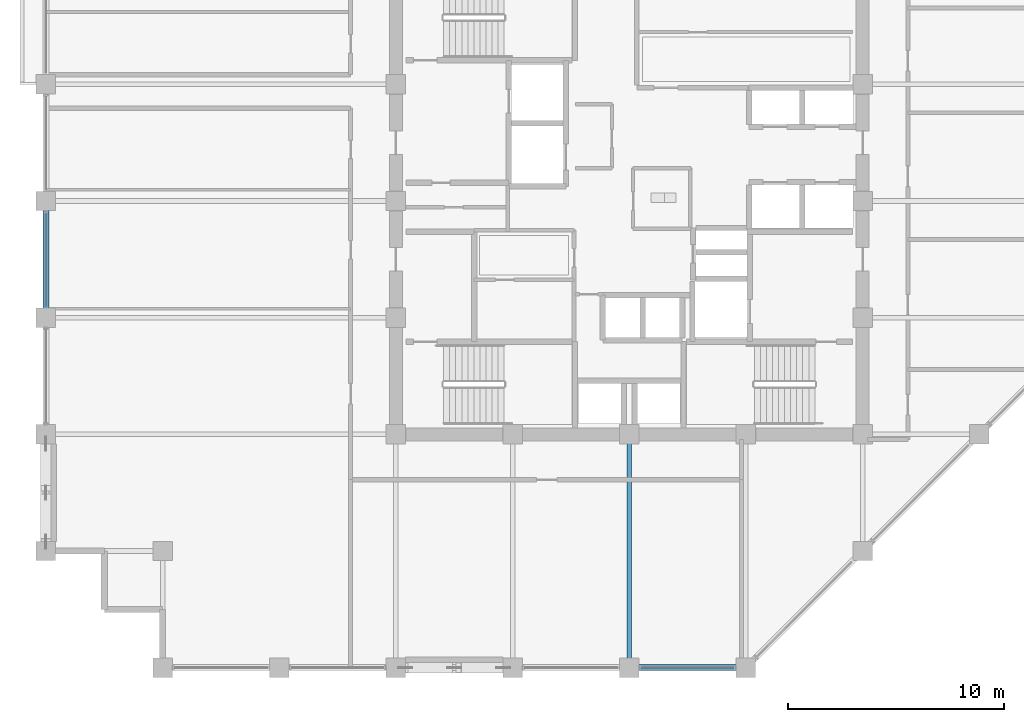
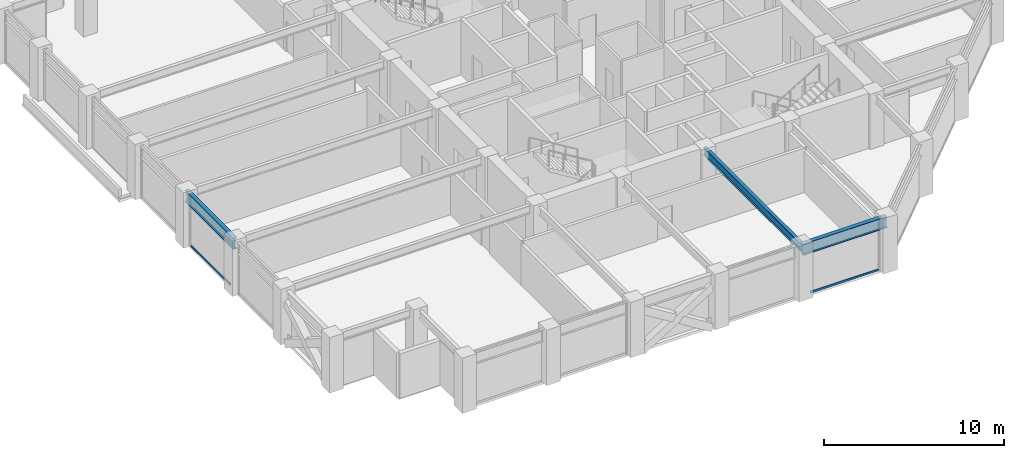
# One storey, part 7 of 31: 3 beams, 2 members, 2 elements without a shape of their own.
"""IFC4 building model written with IfcOpenShell, lengths in metres."""

import ifcopenshell
import ifcopenshell.guid

model = None  # the IFC model being written
_history = None  # IfcOwnerHistory: only IFC2X3 demands one
_inside = {}  # id of a spatial element -> (the spatial element, [elements in it])
_under = {}  # id of a project, library or spatial element -> (it, [spatial elements below it])
_declared = {}  # id of a project -> (the project, [libraries it declares])
_typed = {}  # id of a type object -> (the type object, [elements of that type])
_made_of = {}  # id of a material, layer set ... -> (it, [elements and type objects made of it])


def new_model(schema):
    """Start an empty IFC model of exactly this schema.

    Asked for "IFC4X3", IfcOpenShell would pick the latest addendum, in which some entities
    have other attributes; the version numbers below select the first issue.
    IFC2X3 requires an IfcOwnerHistory on every rooted entity: one is made here for all.
    """
    global model, _history
    if schema == "IFC4X3":
        model = ifcopenshell.file(schema_version=(4, 3, 0, 0))
    else:
        model = ifcopenshell.file(schema=schema)
    _inside.clear()
    _under.clear()
    _declared.clear()
    _typed.clear()
    _made_of.clear()
    _history = None
    if model.schema == "IFC2X3":
        org = make("IfcOrganization", Name="unknown")
        user = make(
            "IfcPersonAndOrganization",
            ThePerson=make("IfcPerson", FamilyName="unknown"),
            TheOrganization=org,
        )
        app = make(
            "IfcApplication",
            ApplicationDeveloper=org,
            Version="unknown",
            ApplicationFullName="unknown",
            ApplicationIdentifier="unknown",
        )
        _history = make(
            "IfcOwnerHistory",
            OwningUser=user,
            OwningApplication=app,
            ChangeAction="ADDED",
            CreationDate=0,
        )
    return model


def make(cls, **values):
    """One entity of the class cls with the attributes given. An attribute that is None is left unset."""
    return model.create_entity(
        cls, **{name: value for name, value in values.items() if value is not None}
    )


def rooted(cls, **values):
    """An entity with a GlobalId (a new one), such as an element, a storey or a relation."""
    return make(cls, GlobalId=ifcopenshell.guid.new(), OwnerHistory=_history, **values)


def si_unit(unit_type, name, prefix=None):
    """IfcSIUnit, for example si_unit("LENGTHUNIT", "METRE", prefix="MILLI")."""
    return make("IfcSIUnit", UnitType=unit_type, Prefix=prefix, Name=name)


def assignment(units):
    """IfcUnitAssignment: the units of a project."""
    return None if units is None else make("IfcUnitAssignment", Units=units)


def point(xyz):
    """IfcCartesianPoint."""
    return None if xyz is None else make("IfcCartesianPoint", Coordinates=xyz)


def direction(xyz):
    """IfcDirection."""
    return None if xyz is None else make("IfcDirection", DirectionRatios=xyz)


def frame(location, z_axis=None, x_axis=None):
    """IfcAxis2Placement3D, a coordinate frame: its origin and axes. An axis left out is left unset."""
    return make(
        "IfcAxis2Placement3D",
        Location=point(location),
        Axis=direction(z_axis),
        RefDirection=direction(x_axis),
    )


def frame_2d(location, x_axis=None):
    """IfcAxis2Placement2D, a coordinate frame in the plane: its origin and x axis."""
    return make(
        "IfcAxis2Placement2D", Location=point(location), RefDirection=direction(x_axis)
    )


def origin():
    """The frame at (0, 0, 0) with its axes left unset."""
    return frame((0.0, 0.0, 0.0))


def origin_2d():
    """The frame at (0, 0) in the plane with its x axis left unset."""
    return frame_2d((0.0, 0.0))


def place(relative_to, where):
    """IfcLocalPlacement: puts the frame where relative to a parent placement (None: the world)."""
    return make(
        "IfcLocalPlacement", PlacementRelTo=relative_to, RelativePlacement=where
    )


def context(
    kind, dimensions, precision=None, world=None, true_north=None, identifier=None
):
    """IfcGeometricRepresentationContext, for example the 3D "Model" context."""
    return make(
        "IfcGeometricRepresentationContext",
        ContextIdentifier=identifier,
        ContextType=kind,
        CoordinateSpaceDimension=dimensions,
        Precision=precision,
        WorldCoordinateSystem=world,
        TrueNorth=true_north,
    )


def subcontext(parent, identifier, kind, view, scale=None):
    """IfcGeometricRepresentationSubContext, for example "Body" below "Model"."""
    return make(
        "IfcGeometricRepresentationSubContext",
        ContextIdentifier=identifier,
        ContextType=kind,
        ParentContext=parent,
        TargetScale=scale,
        TargetView=view,
    )


def project(units=None, contexts=None):
    """IfcProject with its units and contexts."""
    return rooted(
        "IfcProject",
        Name="project",
        RepresentationContexts=contexts,
        UnitsInContext=assignment(units),
    )


def spatial(cls, under=None, at=None, **own):
    """A site, building, storey or space (cls), placed at a placement, below another one or the project."""
    s = rooted(cls, ObjectPlacement=at, **own)
    if under is not None:
        _under.setdefault(under.id(), (under, []))[1].append(s)
    return s


def profile(cls, at=None, kind="AREA", **sizes):
    """A parametric profile (cls). Its sizes go by their IFC names, for example OverallWidth=200.0."""
    return make(cls, ProfileType=kind, Position=at, **sizes)


def hollow_rectangle(**sizes):
    """IfcRectangleHollowProfileDef."""
    return profile("IfcRectangleHollowProfileDef", **sizes)


def i_section(**sizes):
    """IfcIShapeProfileDef."""
    return profile("IfcIShapeProfileDef", **sizes)


def extrude(swept, where, along, depth):
    """IfcExtrudedAreaSolid: the profile swept, set in the frame where, extruded along a direction by depth."""
    return make(
        "IfcExtrudedAreaSolid",
        SweptArea=swept,
        Position=where,
        ExtrudedDirection=direction(along),
        Depth=depth,
    )


def shape(context_of_items, identifier, shape_type, items):
    """IfcShapeRepresentation: the items that make up one representation, for example the "Body"."""
    return make(
        "IfcShapeRepresentation",
        ContextOfItems=context_of_items,
        RepresentationIdentifier=identifier,
        RepresentationType=shape_type,
        Items=items,
    )


def material(Name=None, Category=None):
    """IfcMaterial."""
    return make("IfcMaterial", Name=Name, Category=Category)


def layer(
    of_material, thickness, ventilated=None, Name=None, Category=None, Priority=None
):
    """IfcMaterialLayer: one layer of a wall or slab, of a material (None: an air gap)."""
    return make(
        "IfcMaterialLayer",
        Material=of_material,
        LayerThickness=thickness,
        IsVentilated=ventilated,
        Name=Name,
        Category=Category,
        Priority=Priority,
    )


def layer_set(layers, Name=None):
    """IfcMaterialLayerSet."""
    return make("IfcMaterialLayerSet", MaterialLayers=layers, LayerSetName=Name)


def material_profile(
    of_material, cross_section, Name=None, Category=None, Priority=None
):
    """IfcMaterialProfile: a cross section and its material."""
    return make(
        "IfcMaterialProfile",
        Name=Name,
        Material=of_material,
        Profile=cross_section,
        Priority=Priority,
        Category=Category,
    )


def profile_set(profiles, Name=None, composite=None):
    """IfcMaterialProfileSet."""
    return make(
        "IfcMaterialProfileSet",
        Name=Name,
        MaterialProfiles=profiles,
        CompositeProfile=composite,
    )


def made_of(thing, what):
    """Note that an element or type object is made of a material, layer set ...; save() writes the relation."""
    if what is not None:
        _made_of.setdefault(what.id(), (what, []))[1].append(thing)
    return thing


def type_object(cls, material=None, **own):
    """A type object (cls), such as IfcWallType, which elements share."""
    return made_of(rooted(cls, **own), material)


def element(
    cls,
    number,
    at=None,
    inside=None,
    cuts=None,
    type_object=None,
    material=None,
    context=None,
    identifier="Body",
    shape_type=None,
    held_by="IfcProductDefinitionShape",
    body=None,
    shapes=None,
    **own,
):
    """One element of the class cls, such as IfcWall. Its Tag is "e" and its number.

    at: its placement. inside: the storey or other place that contains it. cuts: it is an
    opening in that element (IfcRelVoidsElement). A single representation is given by context,
    identifier, shape_type and body (its items); several are given by shapes. held_by: the class
    of the entity that holds the representations. save() writes the other relations.
    """
    e = rooted(cls, Tag="e%d" % number, ObjectPlacement=at, **own)
    if body is not None:
        shapes = [shape(context, identifier, shape_type, body)]
    if shapes is not None:
        e.Representation = make(held_by, Representations=shapes)
    if inside is not None:
        _inside.setdefault(inside.id(), (inside, []))[1].append(e)
    if cuts is not None:
        rooted(
            "IfcRelVoidsElement", RelatingBuildingElement=cuts, RelatedOpeningElement=e
        )
    if type_object is not None:
        _typed.setdefault(type_object.id(), (type_object, []))[1].append(e)
    return made_of(e, material)


def aggregate(whole, parts):
    """IfcRelAggregates: a whole, such as a stair, and the parts it consists of."""
    return rooted("IfcRelAggregates", RelatingObject=whole, RelatedObjects=parts)


def save(model, path):
    """Write the relations noted so far, then the file.

    IfcRelAggregates (storeys below a building ...), IfcRelContainedInSpatialStructure (elements
    in a storey), IfcRelDefinesByType, IfcRelAssociatesMaterial and IfcRelDeclares: one each for
    every whole, place, type object, material and project.
    """
    for whole, parts in _under.values():
        aggregate(whole, parts)
    for where, things in _inside.values():
        rooted(
            "IfcRelContainedInSpatialStructure",
            RelatedElements=things,
            RelatingStructure=where,
        )
    for kind, things in _typed.values():
        rooted("IfcRelDefinesByType", RelatedObjects=things, RelatingType=kind)
    for what, things in _made_of.values():
        rooted("IfcRelAssociatesMaterial", RelatedObjects=things, RelatingMaterial=what)
    for by, libraries in _declared.values():
        rooted("IfcRelDeclares", RelatingContext=by, RelatedDefinitions=libraries)
    model.write(path)


model = new_model("IFC4")

# Units and contexts
model_context = context("Model", 3, precision=1e-05, world=origin(), true_north=direction((0.0, 1.0)))
body_context = subcontext(model_context, "Body", "Model", "MODEL_VIEW")
ifc_project = project(units=[si_unit("LENGTHUNIT", "METRE"), si_unit("AREAUNIT", "SQUARE_METRE"), si_unit("VOLUMEUNIT", "CUBIC_METRE"), si_unit("PLANEANGLEUNIT", "RADIAN"), si_unit("MASSUNIT", "GRAM", prefix="KILO")], contexts=[model_context])

# Site, building, storey
site_placement = place(None, origin())
site = spatial("IfcSite", under=ifc_project, at=site_placement, CompositionType="ELEMENT")
building_placement = place(site_placement, origin())
building = spatial("IfcBuilding", under=site, at=building_placement, Name="Surkhivell Harbour Commons", CompositionType="ELEMENT")
storey_placement = place(building_placement, frame((0.0, 0.0, 193.5)))
storey = spatial("IfcBuildingStorey", under=building, at=storey_placement, Name="L50", CompositionType="ELEMENT", Elevation=193.5)

# Beams
ifc_material_1 = material(Name="Steel S355", Category="steel")
ifc_material_profile_1 = material_profile(ifc_material_1, i_section(OverallWidth=0.2119140625, OverallDepth=0.5439453125, WebThickness=0.0126953125, FlangeThickness=0.021240234375, at=origin_2d()), Name="UB533x210x122")
ifc_profile_set_1 = profile_set([ifc_material_profile_1], Name="Steel S355")
beam_type_1 = type_object("IfcBeamType", Name="BM-GRD-533A", PredefinedType="BEAM", material=ifc_profile_set_1)
beam_placement = place(storey_placement, frame((0.0, -21.60009765625, 3.298095703125), z_axis=(0.0, 1.0, 0.0), x_axis=(-1.0, 0.0, 0.0)))
element("IfcBeam", 1, at=beam_placement, inside=storey, type_object=beam_type_1, Name="L50 Floor Girder (0.0,-21.6)", PredefinedType="BEAM", context=body_context, shape_type="SweptSolid", body=[
    extrude(i_section(OverallWidth=0.2119140625, OverallDepth=0.5439453125, WebThickness=0.0126953125, FlangeThickness=0.021240234375, at=origin_2d()), origin(), (0.0, 0.0, 1.0), 10.800048828125),
])
ifc_material_profile_2 = material_profile(ifc_material_1, i_section(OverallWidth=0.26806640625, OverallDepth=0.77001953125, WebThickness=0.015625, FlangeThickness=0.025390625, at=origin_2d()), Name="UB762x267x197")
ifc_profile_set_2 = profile_set([ifc_material_profile_2], Name="Steel S355")
beam_type_2 = type_object("IfcBeamType", Name="BM-SPN-762", PredefinedType="SPANDREL", material=ifc_profile_set_2)
for number, where, z_axis, x_axis, name in (
    (2, (-27.0, -5.39990234375, 3.18505859375), (0.0, 1.0, 0.0), (-1.0, 0.0, 0.0), "L50 Tube Spandrel (-27.0,-5.4)"),
    (3, (0.0, -21.60009765625, 3.18505859375), (1.0, 0.0, 0.0), (0.0, 1.0, 0.0), "L50 Tube Spandrel (-0.0,-21.6)"),
):
    element("IfcBeam", number, at=place(storey_placement, frame(where, z_axis=z_axis, x_axis=x_axis)), inside=storey, type_object=beam_type_2, Name=name, PredefinedType="SPANDREL", context=body_context, shape_type="SweptSolid", body=[
        extrude(i_section(OverallWidth=0.26806640625, OverallDepth=0.77001953125, WebThickness=0.015625, FlangeThickness=0.025390625, at=origin_2d()), origin(), (0.0, 0.0, 1.0), 5.39990234375),
    ])

# Curtain wall, member
ifc_material_2 = material(Name="Anodised pale-metal aluminium and insulated glazing", Category="aluminium")
ifc_layer = layer(ifc_material_2, 0.18994140625)
ifc_layer_set = layer_set([ifc_layer], Name="Anodised pale-metal aluminium and insulated glazing")
curtain_wall_type = type_object("IfcCurtainWallType", Name="CW-SYS-Z3", PredefinedType="NOTDEFINED", material=ifc_layer_set)
curtain_wall_1_placement = place(storey_placement, origin())
curtain_wall_1 = element("IfcCurtainWall", 4, at=curtain_wall_1_placement, inside=storey, type_object=curtain_wall_type, Name="L50 Curtain Wall CW-L50-E00S2", PredefinedType="NOTDEFINED")
ifc_material_3 = material(Name="Champagne anodised aluminium alloy 6063-T6", Category="aluminium")
ifc_material_profile_3 = material_profile(ifc_material_3, hollow_rectangle(XDim=0.070068359375, YDim=0.1298828125, WallThickness=0.00341796875, at=origin_2d()), Name="ALU-TRAN-70x130")
ifc_profile_set_3 = profile_set([ifc_material_profile_3], Name="Champagne anodised aluminium alloy 6063-T6")
member_type = type_object("IfcMemberType", Name="CWT-130", PredefinedType="USERDEFINED", material=ifc_profile_set_3)
member_1_placement = place(storey_placement, frame((0.527099609375, -21.60009765625, 0.06494140625), z_axis=(1.0, 0.0, 0.0), x_axis=(0.0, 1.0, 0.0)))
member_1 = element("IfcMember", 5, at=member_1_placement, type_object=member_type, Name="CW-Z3 transom 2.1", ObjectType="TRANSOM", PredefinedType="USERDEFINED", context=body_context, shape_type="SweptSolid", body=[
    extrude(hollow_rectangle(XDim=0.070068359375, YDim=0.1298828125, WallThickness=0.00341796875, at=origin_2d()), origin(), (0.0, 0.0, 1.0), 4.345947265625),
])
aggregate(curtain_wall_1, [member_1])

curtain_wall_2_placement = place(storey_placement, origin())
curtain_wall_2 = element("IfcCurtainWall", 6, at=curtain_wall_2_placement, inside=storey, type_object=curtain_wall_type, Name="L50 Curtain Wall CW-L50-E12S1", PredefinedType="NOTDEFINED")
member_2_placement = place(storey_placement, frame((-27.0, -0.527099609375, 0.06494140625), z_axis=(0.0, -1.0, 0.0), x_axis=(1.0, 0.0, 0.0)))
member_2 = element("IfcMember", 7, at=member_2_placement, type_object=member_type, Name="CW-Z3 transom 5.1", ObjectType="TRANSOM", PredefinedType="USERDEFINED", context=body_context, shape_type="SweptSolid", body=[
    extrude(hollow_rectangle(XDim=0.070068359375, YDim=0.1298828125, WallThickness=0.00341796875, at=origin_2d()), origin(), (0.0, 0.0, 1.0), 4.345947265625),
])
aggregate(curtain_wall_2, [member_2])

save(model, "model.ifc")
